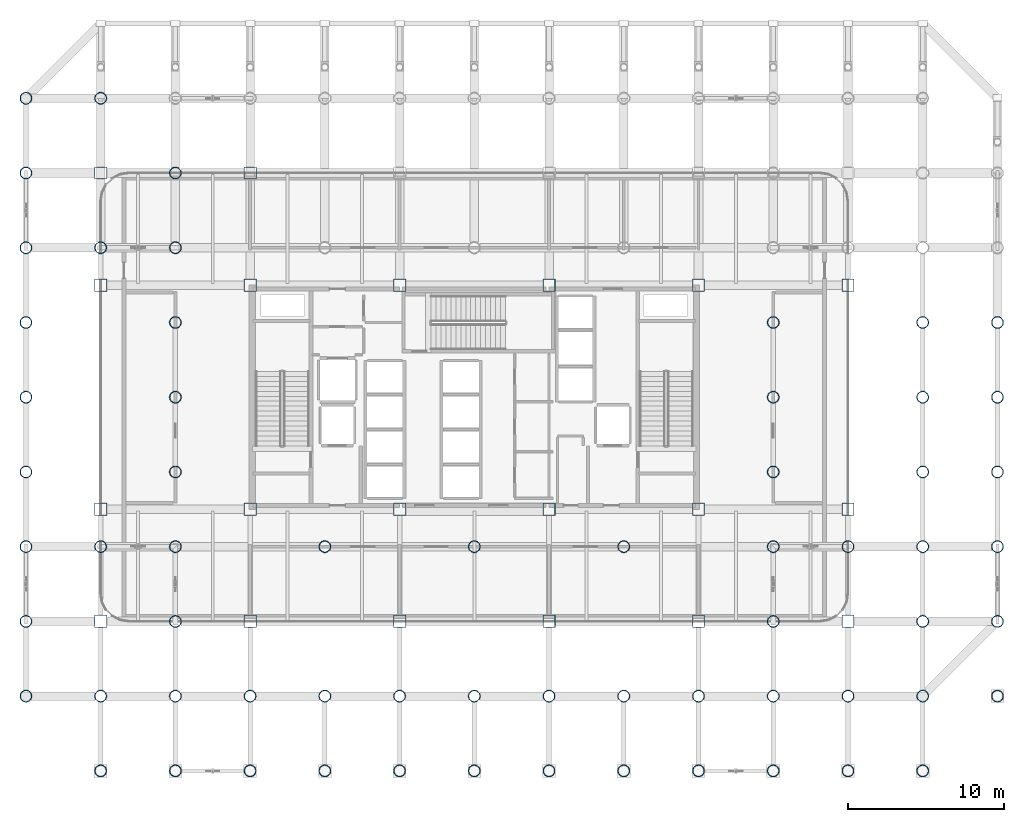
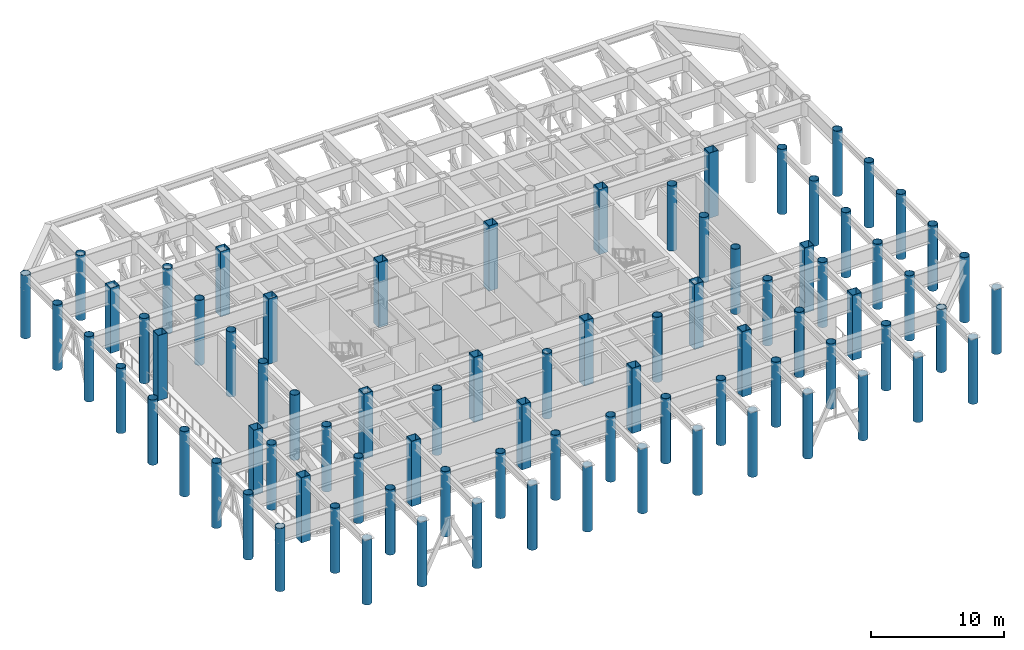
# One storey, part 1 of 19: 83 columns.
"""IFC4 building model written with IfcOpenShell, lengths in metres."""

from ifc_helpers import new_model, si_unit, direction, frame, origin, origin_2d, place, context, subcontext, project, spatial, hollow_rectangle, hollow_circle, extrude, material, material_profile, profile_set, type_object, element, save


model = new_model("IFC4")

# Units and contexts
model_context = context("Model", 3, precision=1e-05, world=origin(), true_north=direction((0.0, 1.0)))
body_context = subcontext(model_context, "Body", "Model", "MODEL_VIEW")
ifc_project = project(units=[si_unit("LENGTHUNIT", "METRE"), si_unit("AREAUNIT", "SQUARE_METRE"), si_unit("VOLUMEUNIT", "CUBIC_METRE"), si_unit("PLANEANGLEUNIT", "RADIAN"), si_unit("MASSUNIT", "GRAM", prefix="KILO")], contexts=[model_context])

# Site, building, storey
site_placement = place(None, origin())
site = spatial("IfcSite", under=ifc_project, at=site_placement, CompositionType="ELEMENT")
building_placement = place(site_placement, origin())
building = spatial("IfcBuilding", under=site, at=building_placement, Name="Kallvorn Hotel Tower", CompositionType="ELEMENT")
storey_placement = place(building_placement, frame((0.0, 0.0, 89.199951171875)))
storey = spatial("IfcBuildingStorey", under=building, at=storey_placement, Name="L21", CompositionType="ELEMENT", Elevation=89.199951171875)

# Columns
ifc_material_1 = material(Name="Structural steel S355J2H", Category="steel")
ifc_material_profile_1 = material_profile(ifc_material_1, hollow_circle(Radius=0.381103515625, WallThickness=0.031982421875, at=origin_2d()), Name="CHS 762x32")
ifc_profile_set_1 = profile_set([ifc_material_profile_1], Name="Structural steel S355J2H")
column_type_1 = type_object("IfcColumnType", Name="COL_CHS_762", PredefinedType="COLUMN", material=ifc_profile_set_1)
column_1_placement = place(storey_placement, frame((-28.800048828125, -19.199951171875, 0.0), z_axis=(0.0, 0.0, 1.0), x_axis=(1.0, 0.0, 0.0)))
element("IfcColumn", 1, at=column_1_placement, inside=storey, type_object=column_type_1, Name="L21 Exoskeleton Column EC01", PredefinedType="COLUMN", context=body_context, shape_type="SweptSolid", body=[
    extrude(hollow_circle(Radius=0.381103515625, WallThickness=0.031982421875, at=origin_2d()), origin(), (0.0, 0.0, 1.0), 5.820068359375),
])
for number, where, z_axis, x_axis, name in (
    (2, (-28.800048828125, -14.39990234375, 0.0), (0.0, 0.0, 1.0), (1.0, 0.0, 0.0), "L21 Exoskeleton Column EC02"),
    (3, (-28.800048828125, -9.60009765625, 0.0), (0.0, 0.0, 1.0), (1.0, 0.0, 0.0), "L21 Exoskeleton Column EC03"),
    (4, (-28.800048828125, -4.800048828125, 0.0), (0.0, 0.0, 1.0), (1.0, 0.0, 0.0), "L21 Exoskeleton Column EC04"),
    (5, (-28.800048828125, 0.0, 0.0), (0.0, 0.0, 1.0), (1.0, 0.0, 0.0), "L21 Exoskeleton Column EC05"),
    (6, (-28.800048828125, 4.800048828125, 0.0), (0.0, 0.0, 1.0), (1.0, 0.0, 0.0), "L21 Exoskeleton Column EC06"),
    (7, (-28.800048828125, 9.60009765625, 0.0), (0.0, 0.0, 1.0), (1.0, 0.0, 0.0), "L21 Exoskeleton Column EC07"),
    (8, (-28.800048828125, 14.39990234375, 0.0), (0.0, 0.0, 1.0), (1.0, 0.0, 0.0), "L21 Exoskeleton Column EC08"),
):
    element("IfcColumn", number, at=place(storey_placement, frame(where, z_axis=z_axis, x_axis=x_axis)), inside=storey, type_object=column_type_1, Name=name, PredefinedType="COLUMN", context=body_context, shape_type="SweptSolid", body=[
        extrude(hollow_circle(Radius=0.381103515625, WallThickness=0.031982421875, at=origin_2d()), origin(), (0.0, 0.0, 1.0), 6.0),
    ])
column_2_placement = place(storey_placement, frame((-28.800048828125, 19.199951171875, 0.0), z_axis=(0.0, 0.0, 1.0), x_axis=(1.0, 0.0, 0.0)))
element("IfcColumn", 9, at=column_2_placement, inside=storey, type_object=column_type_1, Name="L21 Exoskeleton Column EC09", PredefinedType="COLUMN", context=body_context, shape_type="SweptSolid", body=[
    extrude(hollow_circle(Radius=0.381103515625, WallThickness=0.031982421875, at=origin_2d()), origin(), (0.0, 0.0, 1.0), 5.820068359375),
])
for number, where, z_axis, x_axis, name in (
    (10, (-24.0, -24.0, 0.0), (0.0, 0.0, 1.0), (1.0, 0.0, 0.0), "L21 Exoskeleton Column EC10"),
    (11, (-24.0, -19.199951171875, 0.0), (0.0, 0.0, 1.0), (1.0, 0.0, 0.0), "L21 Exoskeleton Column EC11"),
    (12, (-24.0, -9.60009765625, 0.0), (0.0, 0.0, 1.0), (1.0, 0.0, 0.0), "L21 Exoskeleton Column EC12"),
    (13, (-24.0, 9.60009765625, 0.0), (0.0, 0.0, 1.0), (1.0, 0.0, 0.0), "L21 Exoskeleton Column EC13"),
    (14, (-24.0, 19.199951171875, 0.0), (0.0, 0.0, 1.0), (1.0, 0.0, 0.0), "L21 Exoskeleton Column EC14"),
    (15, (-19.199951171875, -24.0, 0.0), (0.0, 0.0, 1.0), (1.0, 0.0, 0.0), "L21 Exoskeleton Column EC15"),
    (16, (-19.199951171875, -19.199951171875, 0.0), (0.0, 0.0, 1.0), (1.0, 0.0, 0.0), "L21 Exoskeleton Column EC16"),
    (17, (-19.199951171875, -14.39990234375, 0.0), (0.0, 0.0, 1.0), (1.0, 0.0, 0.0), "L21 Exoskeleton Column EC17"),
    (18, (-19.199951171875, -9.60009765625, 0.0), (0.0, 0.0, 1.0), (1.0, 0.0, 0.0), "L21 Exoskeleton Column EC18"),
    (19, (-19.199951171875, -4.800048828125, 0.0), (0.0, 0.0, 1.0), (1.0, 0.0, 0.0), "L21 Exoskeleton Column EC19"),
    (20, (-19.199951171875, 0.0, 0.0), (0.0, 0.0, 1.0), (1.0, 0.0, 0.0), "L21 Exoskeleton Column EC20"),
    (21, (-19.199951171875, 4.800048828125, 0.0), (0.0, 0.0, 1.0), (1.0, 0.0, 0.0), "L21 Exoskeleton Column EC21"),
    (22, (-19.199951171875, 9.60009765625, 0.0), (0.0, 0.0, 1.0), (1.0, 0.0, 0.0), "L21 Exoskeleton Column EC22"),
    (23, (-19.199951171875, 14.39990234375, 0.0), (0.0, 0.0, 1.0), (1.0, 0.0, 0.0), "L21 Exoskeleton Column EC23"),
    (24, (-14.39990234375, -24.0, 0.0), (0.0, 0.0, 1.0), (1.0, 0.0, 0.0), "L21 Exoskeleton Column EC25"),
    (25, (-14.39990234375, -19.199951171875, 0.0), (0.0, 0.0, 1.0), (1.0, 0.0, 0.0), "L21 Exoskeleton Column EC26"),
    (26, (-9.60009765625, -24.0, 0.0), (0.0, 0.0, 1.0), (1.0, 0.0, 0.0), "L21 Exoskeleton Column EC28"),
    (27, (-9.60009765625, -19.199951171875, 0.0), (0.0, 0.0, 1.0), (1.0, 0.0, 0.0), "L21 Exoskeleton Column EC29"),
    (28, (-9.60009765625, -9.60009765625, 0.0), (0.0, 0.0, 1.0), (1.0, 0.0, 0.0), "L21 Exoskeleton Column EC30"),
    (29, (-4.800048828125, -24.0, 0.0), (0.0, 0.0, 1.0), (1.0, 0.0, 0.0), "L21 Exoskeleton Column EC33"),
    (30, (-4.800048828125, -19.199951171875, 0.0), (0.0, 0.0, 1.0), (1.0, 0.0, 0.0), "L21 Exoskeleton Column EC34"),
    (31, (0.0, -24.0, 0.0), (0.0, 0.0, 1.0), (1.0, 0.0, 0.0), "L21 Exoskeleton Column EC36"),
    (32, (0.0, -19.199951171875, 0.0), (0.0, 0.0, 1.0), (1.0, 0.0, 0.0), "L21 Exoskeleton Column EC37"),
    (33, (0.0, -9.60009765625, 0.0), (0.0, 0.0, 1.0), (1.0, 0.0, 0.0), "L21 Exoskeleton Column EC38"),
    (34, (4.800048828125, -24.0, 0.0), (0.0, 0.0, 1.0), (1.0, 0.0, 0.0), "L21 Exoskeleton Column EC41"),
    (35, (4.800048828125, -19.199951171875, 0.0), (0.0, 0.0, 1.0), (1.0, 0.0, 0.0), "L21 Exoskeleton Column EC42"),
    (36, (9.60009765625, -24.0, 0.0), (0.0, 0.0, 1.0), (1.0, 0.0, 0.0), "L21 Exoskeleton Column EC44"),
    (37, (9.60009765625, -19.199951171875, 0.0), (0.0, 0.0, 1.0), (1.0, 0.0, 0.0), "L21 Exoskeleton Column EC45"),
    (38, (9.60009765625, -9.60009765625, 0.0), (0.0, 0.0, 1.0), (1.0, 0.0, 0.0), "L21 Exoskeleton Column EC46"),
    (39, (14.39990234375, -24.0, 0.0), (0.0, 0.0, 1.0), (1.0, 0.0, 0.0), "L21 Exoskeleton Column EC49"),
    (40, (14.39990234375, -19.199951171875, 0.0), (0.0, 0.0, 1.0), (1.0, 0.0, 0.0), "L21 Exoskeleton Column EC50"),
    (41, (19.199951171875, -24.0, 0.0), (0.0, 0.0, 1.0), (1.0, 0.0, 0.0), "L21 Exoskeleton Column EC52"),
    (42, (19.199951171875, -19.199951171875, 0.0), (0.0, 0.0, 1.0), (1.0, 0.0, 0.0), "L21 Exoskeleton Column EC53"),
    (43, (19.199951171875, -14.39990234375, 0.0), (0.0, 0.0, 1.0), (1.0, 0.0, 0.0), "L21 Exoskeleton Column EC54"),
    (44, (19.199951171875, -9.60009765625, 0.0), (0.0, 0.0, 1.0), (1.0, 0.0, 0.0), "L21 Exoskeleton Column EC55"),
    (45, (19.199951171875, -4.800048828125, 0.0), (0.0, 0.0, 1.0), (1.0, 0.0, 0.0), "L21 Exoskeleton Column EC56"),
    (46, (19.199951171875, 0.0, 0.0), (0.0, 0.0, 1.0), (1.0, 0.0, 0.0), "L21 Exoskeleton Column EC57"),
    (47, (19.199951171875, 4.800048828125, 0.0), (0.0, 0.0, 1.0), (1.0, 0.0, 0.0), "L21 Exoskeleton Column EC58"),
    (48, (24.0, -24.0, 0.0), (0.0, 0.0, 1.0), (1.0, 0.0, 0.0), "L21 Exoskeleton Column EC62"),
    (49, (24.0, -19.199951171875, 0.0), (0.0, 0.0, 1.0), (1.0, 0.0, 0.0), "L21 Exoskeleton Column EC63"),
    (50, (24.0, -9.60009765625, 0.0), (0.0, 0.0, 1.0), (1.0, 0.0, 0.0), "L21 Exoskeleton Column EC64"),
    (51, (28.800048828125, -24.0, 0.0), (0.0, 0.0, 1.0), (1.0, 0.0, 0.0), "L21 Exoskeleton Column EC67"),
):
    element("IfcColumn", number, at=place(storey_placement, frame(where, z_axis=z_axis, x_axis=x_axis)), inside=storey, type_object=column_type_1, Name=name, PredefinedType="COLUMN", context=body_context, shape_type="SweptSolid", body=[
        extrude(hollow_circle(Radius=0.381103515625, WallThickness=0.031982421875, at=origin_2d()), origin(), (0.0, 0.0, 1.0), 6.0),
    ])
column_3_placement = place(storey_placement, frame((28.800048828125, -19.199951171875, 0.0), z_axis=(0.0, 0.0, 1.0), x_axis=(1.0, 0.0, 0.0)))
element("IfcColumn", 52, at=column_3_placement, inside=storey, type_object=column_type_1, Name="L21 Exoskeleton Column EC68", PredefinedType="COLUMN", context=body_context, shape_type="SweptSolid", body=[
    extrude(hollow_circle(Radius=0.381103515625, WallThickness=0.031982421875, at=origin_2d()), origin(), (0.0, 0.0, 1.0), 5.820068359375),
])
for number, where, z_axis, x_axis, name in (
    (53, (28.800048828125, -14.39990234375, 0.0), (0.0, 0.0, 1.0), (1.0, 0.0, 0.0), "L21 Exoskeleton Column EC69"),
    (54, (28.800048828125, -9.60009765625, 0.0), (0.0, 0.0, 1.0), (1.0, 0.0, 0.0), "L21 Exoskeleton Column EC70"),
    (55, (28.800048828125, -4.800048828125, 0.0), (0.0, 0.0, 1.0), (1.0, 0.0, 0.0), "L21 Exoskeleton Column EC71"),
    (56, (28.800048828125, 0.0, 0.0), (0.0, 0.0, 1.0), (1.0, 0.0, 0.0), "L21 Exoskeleton Column EC72"),
    (57, (28.800048828125, 4.800048828125, 0.0), (0.0, 0.0, 1.0), (1.0, 0.0, 0.0), "L21 Exoskeleton Column EC73"),
    (58, (33.60009765625, -19.199951171875, 0.0), (0.0, 0.0, 1.0), (1.0, 0.0, 0.0), "L21 Exoskeleton Column EC77"),
    (59, (33.60009765625, -14.39990234375, 0.0), (0.0, 0.0, 1.0), (1.0, 0.0, 0.0), "L21 Exoskeleton Column EC78"),
    (60, (33.60009765625, -9.60009765625, 0.0), (0.0, 0.0, 1.0), (1.0, 0.0, 0.0), "L21 Exoskeleton Column EC79"),
    (61, (33.60009765625, -4.800048828125, 0.0), (0.0, 0.0, 1.0), (1.0, 0.0, 0.0), "L21 Exoskeleton Column EC80"),
    (62, (33.60009765625, 0.0, 0.0), (0.0, 0.0, 1.0), (1.0, 0.0, 0.0), "L21 Exoskeleton Column EC81"),
    (63, (33.60009765625, 4.800048828125, 0.0), (0.0, 0.0, 1.0), (1.0, 0.0, 0.0), "L21 Exoskeleton Column EC82"),
):
    element("IfcColumn", number, at=place(storey_placement, frame(where, z_axis=z_axis, x_axis=x_axis)), inside=storey, type_object=column_type_1, Name=name, PredefinedType="COLUMN", context=body_context, shape_type="SweptSolid", body=[
        extrude(hollow_circle(Radius=0.381103515625, WallThickness=0.031982421875, at=origin_2d()), origin(), (0.0, 0.0, 1.0), 6.0),
    ])
ifc_material_2 = material(Name="Structural steel S355J2H", Category="steel")
ifc_material_profile_2 = material_profile(ifc_material_2, hollow_rectangle(XDim=0.800048828125, YDim=0.800048828125, WallThickness=0.035888671875, at=origin_2d()), Name="RHS 800x800x36")
ifc_profile_set_2 = profile_set([ifc_material_profile_2], Name="Structural steel S355J2H")
column_type_2 = type_object("IfcColumnType", Name="COL_RHS_800", PredefinedType="COLUMN", material=ifc_profile_set_2)
for number, where, z_axis, x_axis, name in (
    (64, (-24.0, -14.39990234375, 0.0), (0.0, 0.0, 1.0), (1.0, 0.0, 0.0), "L21 Inner Column IC01"),
    (65, (-24.0, -7.199951171875, 0.0), (0.0, 0.0, 1.0), (1.0, 0.0, 0.0), "L21 Inner Column IC02"),
    (66, (-24.0, 7.199951171875, 0.0), (0.0, 0.0, 1.0), (1.0, 0.0, 0.0), "L21 Inner Column IC03"),
    (67, (-24.0, 14.39990234375, 0.0), (0.0, 0.0, 1.0), (1.0, 0.0, 0.0), "L21 Inner Column IC04"),
    (68, (-14.39990234375, -14.39990234375, 0.0), (0.0, 0.0, 1.0), (1.0, 0.0, 0.0), "L21 Inner Column IC05"),
    (69, (-14.39990234375, -7.199951171875, 0.0), (0.0, 0.0, 1.0), (1.0, 0.0, 0.0), "L21 Inner Column IC06"),
    (70, (-14.39990234375, 7.199951171875, 0.0), (0.0, 0.0, 1.0), (1.0, 0.0, 0.0), "L21 Inner Column IC07"),
    (71, (-14.39990234375, 14.39990234375, 0.0), (0.0, 0.0, 1.0), (1.0, 0.0, 0.0), "L21 Inner Column IC08"),
    (72, (-4.800048828125, -14.39990234375, 0.0), (0.0, 0.0, 1.0), (1.0, 0.0, 0.0), "L21 Inner Column IC09"),
    (73, (-4.800048828125, -7.199951171875, 0.0), (0.0, 0.0, 1.0), (1.0, 0.0, 0.0), "L21 Inner Column IC10"),
    (74, (-4.800048828125, 7.199951171875, 0.0), (0.0, 0.0, 1.0), (1.0, 0.0, 0.0), "L21 Inner Column IC11"),
    (75, (4.800048828125, -14.39990234375, 0.0), (0.0, 0.0, 1.0), (1.0, 0.0, 0.0), "L21 Inner Column IC13"),
    (76, (4.800048828125, -7.199951171875, 0.0), (0.0, 0.0, 1.0), (1.0, 0.0, 0.0), "L21 Inner Column IC14"),
    (77, (4.800048828125, 7.199951171875, 0.0), (0.0, 0.0, 1.0), (1.0, 0.0, 0.0), "L21 Inner Column IC15"),
    (78, (14.39990234375, -14.39990234375, 0.0), (0.0, 0.0, 1.0), (1.0, 0.0, 0.0), "L21 Inner Column IC17"),
    (79, (14.39990234375, -7.199951171875, 0.0), (0.0, 0.0, 1.0), (1.0, 0.0, 0.0), "L21 Inner Column IC18"),
    (80, (14.39990234375, 7.199951171875, 0.0), (0.0, 0.0, 1.0), (1.0, 0.0, 0.0), "L21 Inner Column IC19"),
    (81, (24.0, -14.39990234375, 0.0), (0.0, 0.0, 1.0), (1.0, 0.0, 0.0), "L21 Inner Column IC21"),
    (82, (24.0, -7.199951171875, 0.0), (0.0, 0.0, 1.0), (1.0, 0.0, 0.0), "L21 Inner Column IC22"),
    (83, (24.0, 7.199951171875, 0.0), (0.0, 0.0, 1.0), (1.0, 0.0, 0.0), "L21 Inner Column IC23"),
):
    element("IfcColumn", number, at=place(storey_placement, frame(where, z_axis=z_axis, x_axis=x_axis)), inside=storey, type_object=column_type_2, Name=name, PredefinedType="COLUMN", context=body_context, shape_type="SweptSolid", body=[
        extrude(hollow_rectangle(XDim=0.800048828125, YDim=0.800048828125, WallThickness=0.035888671875, at=origin_2d()), origin(), (0.0, 0.0, 1.0), 6.0),
    ])

save(model, "model.ifc")
